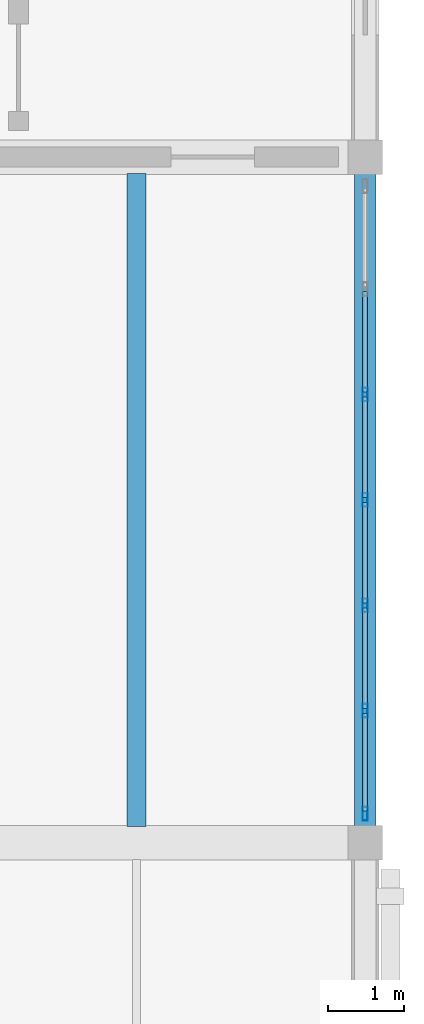
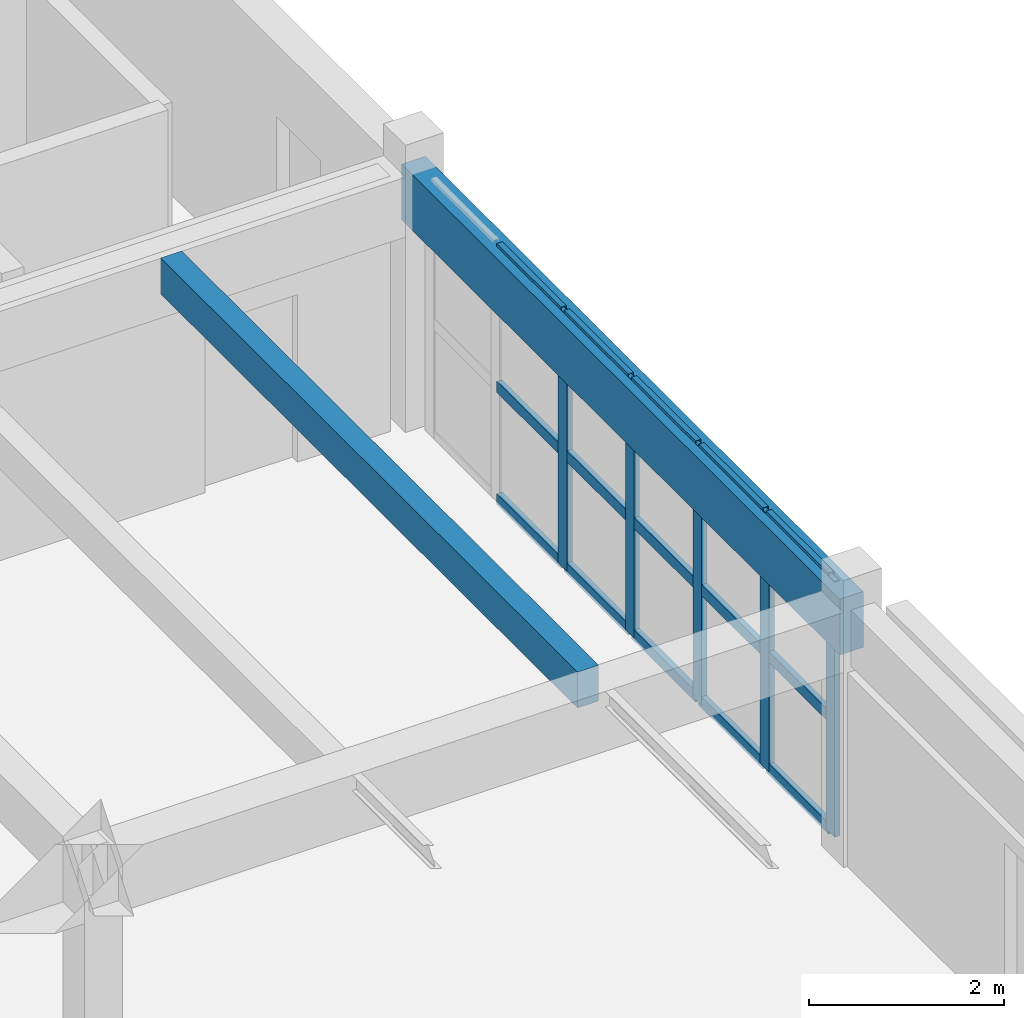
# One storey, part 48 of 80: 20 members, 2 beams, 1 element without a shape of its own.
"""IFC4 building model written with IfcOpenShell, lengths in metres."""

from ifc_helpers import new_model, si_unit, direction, frame, origin, origin_2d, place, context, subcontext, project, spatial, rectangle, hollow_rectangle, extrude, material, layer, layer_set, material_profile, profile_set, type_object, element, aggregate, save


model = new_model("IFC4")

# Units and contexts
model_context = context("Model", 3, precision=1e-05, world=origin(), true_north=direction((0.0, 1.0)))
body_context = subcontext(model_context, "Body", "Model", "MODEL_VIEW")
ifc_project = project(units=[si_unit("LENGTHUNIT", "METRE"), si_unit("AREAUNIT", "SQUARE_METRE"), si_unit("VOLUMEUNIT", "CUBIC_METRE"), si_unit("PLANEANGLEUNIT", "RADIAN"), si_unit("MASSUNIT", "GRAM", prefix="KILO")], contexts=[model_context])

# Site, building, storey
site_placement = place(None, origin())
site = spatial("IfcSite", under=ifc_project, at=site_placement, CompositionType="ELEMENT")
building_placement = place(site_placement, origin())
building = spatial("IfcBuilding", under=site, at=building_placement, Name="Ornek Quay Market", CompositionType="ELEMENT")
storey_placement = place(building_placement, frame((0.0, 0.0, 8.39990234375)))
storey = spatial("IfcBuildingStorey", under=building, at=storey_placement, Name="L02", CompositionType="ELEMENT", Elevation=8.39990234375)

# Beams
ifc_material_1 = material(Name="Concrete C35/45", Category="concrete")
ifc_material_profile_1 = material_profile(ifc_material_1, rectangle(XDim=0.25, YDim=0.449951171875, at=origin_2d()), Name="RC 250x450", Category="concrete")
ifc_profile_set_1 = profile_set([ifc_material_profile_1], Name="Concrete C35/45")
beam_type_1 = type_object("IfcBeamType", Name="BM-SEC-250x450", PredefinedType="JOIST", material=ifc_profile_set_1)
beam_1_placement = place(storey_placement, frame((177.0, 83.217041015625, 2.97509765625), z_axis=(0.0, 1.0, 0.0), x_axis=(-1.0, 0.0, 0.0)))
element("IfcBeam", 1, at=beam_1_placement, inside=storey, type_object=beam_type_1, Name="Secondary joist B-SC3-050", PredefinedType="JOIST", context=body_context, shape_type="SweptSolid", body=[
    extrude(rectangle(XDim=0.25, YDim=0.449951171875, at=origin_2d()), origin(), (0.0, 0.0, 1.0), 8.56591796875),
])
ifc_material_profile_2 = material_profile(ifc_material_1, rectangle(XDim=0.280029296875, YDim=0.699951171875, at=origin_2d()), Name="RC 280x700", Category="concrete")
ifc_profile_set_2 = profile_set([ifc_material_profile_2], Name="Concrete C35/45")
beam_type_2 = type_object("IfcBeamType", Name="BM-SPN-280x700", PredefinedType="SPANDREL", material=ifc_profile_set_2)
beam_2_placement = place(storey_placement, frame((180.0, 83.0, 2.85009765625), z_axis=(0.0, 1.0, 0.0), x_axis=(-1.0, 0.0, 0.0)))
element("IfcBeam", 2, at=beam_2_placement, inside=storey, type_object=beam_type_2, Name="Primary beam B-SP2-100", PredefinedType="SPANDREL", context=body_context, shape_type="SweptSolid", body=[
    extrude(rectangle(XDim=0.280029296875, YDim=0.699951171875, at=origin_2d()), origin(), (0.0, 0.0, 1.0), 9.0),
])

# Curtain wall, members
ifc_material_2 = material(Name="Anodised bronze aluminium and triple low-e glass", Category="aluminium")
ifc_layer = layer(ifc_material_2, 0.18994140625, Name="Anodised bronze aluminium and triple low-e glass", Category="aluminium")
ifc_layer_set = layer_set([ifc_layer], Name="Anodised bronze aluminium and triple low-e glass")
curtain_wall_type = type_object("IfcCurtainWallType", Name="CW-FC-MOD1500", PredefinedType="USERDEFINED", material=ifc_layer_set)
curtain_wall_placement = place(storey_placement, origin())
curtain_wall = element("IfcCurtainWall", 3, at=curtain_wall_placement, inside=storey, type_object=curtain_wall_type, Name="Curtain wall CW-091", ObjectType="CURTAIN WALL", PredefinedType="USERDEFINED")
ifc_material_3 = material(Name="Anodised aluminium 6063-T6", Category="aluminium")
ifc_material_profile_3 = material_profile(ifc_material_3, hollow_rectangle(XDim=0.06494140625, YDim=0.179931640625, WallThickness=0.00439453125, at=origin_2d()), Name="CW-MUL-65x180", Category="aluminium")
ifc_profile_set_3 = profile_set([ifc_material_profile_3], Name="Anodised aluminium 6063-T6")
member_type_1 = type_object("IfcMemberType", Name="CW-MUL-65x180", PredefinedType="MULLION", material=ifc_profile_set_3)
member_1_placement = place(storey_placement, frame((180.0, 83.382568359375, 0.0), z_axis=(0.0, 0.0, 1.0), x_axis=(-1.0, 0.0, 0.0)))
member_1 = element("IfcMember", 4, at=member_1_placement, type_object=member_type_1, Name="CW-091 mullion 1", PredefinedType="MULLION", context=body_context, shape_type="SweptSolid", body=[
    extrude(hollow_rectangle(XDim=0.06494140625, YDim=0.179931640625, WallThickness=0.00439453125, at=origin_2d()), origin(), (0.0, 0.0, 1.0), 3.2001953125),
])
member_2_placement = place(storey_placement, frame((180.0, 84.7333984375, 0.0), z_axis=(0.0, 0.0, 1.0), x_axis=(-1.0, 0.0, 0.0)))
member_2 = element("IfcMember", 5, at=member_2_placement, type_object=member_type_1, Name="CW-091 mullion 2", PredefinedType="MULLION", context=body_context, shape_type="SweptSolid", body=[
    extrude(hollow_rectangle(XDim=0.06494140625, YDim=0.179931640625, WallThickness=0.00439453125, at=origin_2d()), origin(), (0.0, 0.0, 1.0), 3.2001953125),
])
member_3_placement = place(storey_placement, frame((180.0, 86.11669921875, 0.0), z_axis=(0.0, 0.0, 1.0), x_axis=(-1.0, 0.0, 0.0)))
member_3 = element("IfcMember", 6, at=member_3_placement, type_object=member_type_1, Name="CW-091 mullion 3", PredefinedType="MULLION", context=body_context, shape_type="SweptSolid", body=[
    extrude(hollow_rectangle(XDim=0.06494140625, YDim=0.179931640625, WallThickness=0.00439453125, at=origin_2d()), origin(), (0.0, 0.0, 1.0), 3.2001953125),
])
member_4_placement = place(storey_placement, frame((180.0, 87.5, 0.0), z_axis=(0.0, 0.0, 1.0), x_axis=(-1.0, 0.0, 0.0)))
member_4 = element("IfcMember", 7, at=member_4_placement, type_object=member_type_1, Name="CW-091 mullion 4", PredefinedType="MULLION", context=body_context, shape_type="SweptSolid", body=[
    extrude(hollow_rectangle(XDim=0.06494140625, YDim=0.179931640625, WallThickness=0.00439453125, at=origin_2d()), origin(), (0.0, 0.0, 1.0), 3.2001953125),
])
member_5_placement = place(storey_placement, frame((180.0, 88.88330078125, 0.0), z_axis=(0.0, 0.0, 1.0), x_axis=(-1.0, 0.0, 0.0)))
member_5 = element("IfcMember", 8, at=member_5_placement, type_object=member_type_1, Name="CW-091 mullion 5", PredefinedType="MULLION", context=body_context, shape_type="SweptSolid", body=[
    extrude(hollow_rectangle(XDim=0.06494140625, YDim=0.179931640625, WallThickness=0.00439453125, at=origin_2d()), origin(), (0.0, 0.0, 1.0), 3.2001953125),
])
ifc_material_profile_4 = material_profile(ifc_material_3, hollow_rectangle(XDim=0.06494140625, YDim=0.139892578125, WallThickness=0.00439453125, at=origin_2d()), Name="CW-TRN-65x140", Category="aluminium")
ifc_profile_set_4 = profile_set([ifc_material_profile_4], Name="Anodised aluminium 6063-T6")
member_type_2 = type_object("IfcMemberType", Name="CW-TRN-65x140", PredefinedType="USERDEFINED", material=ifc_profile_set_4)
member_6_placement = place(storey_placement, frame((180.0, 83.4150390625, 0.03271484375), z_axis=(0.0, 1.0, 0.0), x_axis=(-1.0, 0.0, 0.0)))
member_6 = element("IfcMember", 9, at=member_6_placement, type_object=member_type_2, Name="CW-091 transom 1.1", ObjectType="TRANSOM", PredefinedType="USERDEFINED", context=body_context, shape_type="SweptSolid", body=[
    extrude(hollow_rectangle(XDim=0.06494140625, YDim=0.139892578125, WallThickness=0.00439453125, at=origin_2d()), origin(), (0.0, 0.0, 1.0), 1.285888671875),
])
member_7_placement = place(storey_placement, frame((180.0, 83.4150390625, 1.440185546875), z_axis=(0.0, 1.0, 0.0), x_axis=(-1.0, 0.0, 0.0)))
member_7 = element("IfcMember", 10, at=member_7_placement, type_object=member_type_2, Name="CW-091 transom 1.2", ObjectType="TRANSOM", PredefinedType="USERDEFINED", context=body_context, shape_type="SweptSolid", body=[
    extrude(hollow_rectangle(XDim=0.06494140625, YDim=0.139892578125, WallThickness=0.00439453125, at=origin_2d()), origin(), (0.0, 0.0, 1.0), 1.285888671875),
])
member_8_placement = place(storey_placement, frame((180.0, 83.4150390625, 3.16748046875), z_axis=(0.0, 1.0, 0.0), x_axis=(-1.0, 0.0, 0.0)))
member_8 = element("IfcMember", 11, at=member_8_placement, type_object=member_type_2, Name="CW-091 transom 1.3", ObjectType="TRANSOM", PredefinedType="USERDEFINED", context=body_context, shape_type="SweptSolid", body=[
    extrude(hollow_rectangle(XDim=0.06494140625, YDim=0.139892578125, WallThickness=0.00439453125, at=origin_2d()), origin(), (0.0, 0.0, 1.0), 1.285888671875),
])
member_9_placement = place(storey_placement, frame((180.0, 84.765869140625, 0.03271484375), z_axis=(0.0, 1.0, 0.0), x_axis=(-1.0, 0.0, 0.0)))
member_9 = element("IfcMember", 12, at=member_9_placement, type_object=member_type_2, Name="CW-091 transom 2.1", ObjectType="TRANSOM", PredefinedType="USERDEFINED", context=body_context, shape_type="SweptSolid", body=[
    extrude(hollow_rectangle(XDim=0.06494140625, YDim=0.139892578125, WallThickness=0.00439453125, at=origin_2d()), origin(), (0.0, 0.0, 1.0), 1.318359375),
])
member_10_placement = place(storey_placement, frame((180.0, 84.765869140625, 1.440185546875), z_axis=(0.0, 1.0, 0.0), x_axis=(-1.0, 0.0, 0.0)))
member_10 = element("IfcMember", 13, at=member_10_placement, type_object=member_type_2, Name="CW-091 transom 2.2", ObjectType="TRANSOM", PredefinedType="USERDEFINED", context=body_context, shape_type="SweptSolid", body=[
    extrude(hollow_rectangle(XDim=0.06494140625, YDim=0.139892578125, WallThickness=0.00439453125, at=origin_2d()), origin(), (0.0, 0.0, 1.0), 1.318359375),
])
member_11_placement = place(storey_placement, frame((180.0, 84.765869140625, 3.16748046875), z_axis=(0.0, 1.0, 0.0), x_axis=(-1.0, 0.0, 0.0)))
member_11 = element("IfcMember", 14, at=member_11_placement, type_object=member_type_2, Name="CW-091 transom 2.3", ObjectType="TRANSOM", PredefinedType="USERDEFINED", context=body_context, shape_type="SweptSolid", body=[
    extrude(hollow_rectangle(XDim=0.06494140625, YDim=0.139892578125, WallThickness=0.00439453125, at=origin_2d()), origin(), (0.0, 0.0, 1.0), 1.318359375),
])
member_12_placement = place(storey_placement, frame((180.0, 86.149169921875, 0.03271484375), z_axis=(0.0, 1.0, 0.0), x_axis=(-1.0, 0.0, 0.0)))
member_12 = element("IfcMember", 15, at=member_12_placement, type_object=member_type_2, Name="CW-091 transom 3.1", ObjectType="TRANSOM", PredefinedType="USERDEFINED", context=body_context, shape_type="SweptSolid", body=[
    extrude(hollow_rectangle(XDim=0.06494140625, YDim=0.139892578125, WallThickness=0.00439453125, at=origin_2d()), origin(), (0.0, 0.0, 1.0), 1.318359375),
])
member_13_placement = place(storey_placement, frame((180.0, 86.149169921875, 1.440185546875), z_axis=(0.0, 1.0, 0.0), x_axis=(-1.0, 0.0, 0.0)))
member_13 = element("IfcMember", 16, at=member_13_placement, type_object=member_type_2, Name="CW-091 transom 3.2", ObjectType="TRANSOM", PredefinedType="USERDEFINED", context=body_context, shape_type="SweptSolid", body=[
    extrude(hollow_rectangle(XDim=0.06494140625, YDim=0.139892578125, WallThickness=0.00439453125, at=origin_2d()), origin(), (0.0, 0.0, 1.0), 1.318359375),
])
member_14_placement = place(storey_placement, frame((180.0, 86.149169921875, 3.16748046875), z_axis=(0.0, 1.0, 0.0), x_axis=(-1.0, 0.0, 0.0)))
member_14 = element("IfcMember", 17, at=member_14_placement, type_object=member_type_2, Name="CW-091 transom 3.3", ObjectType="TRANSOM", PredefinedType="USERDEFINED", context=body_context, shape_type="SweptSolid", body=[
    extrude(hollow_rectangle(XDim=0.06494140625, YDim=0.139892578125, WallThickness=0.00439453125, at=origin_2d()), origin(), (0.0, 0.0, 1.0), 1.318359375),
])
member_15_placement = place(storey_placement, frame((180.0, 87.532470703125, 0.03271484375), z_axis=(0.0, 1.0, 0.0), x_axis=(-1.0, 0.0, 0.0)))
member_15 = element("IfcMember", 18, at=member_15_placement, type_object=member_type_2, Name="CW-091 transom 4.1", ObjectType="TRANSOM", PredefinedType="USERDEFINED", context=body_context, shape_type="SweptSolid", body=[
    extrude(hollow_rectangle(XDim=0.06494140625, YDim=0.139892578125, WallThickness=0.00439453125, at=origin_2d()), origin(), (0.0, 0.0, 1.0), 1.318359375),
])
member_16_placement = place(storey_placement, frame((180.0, 87.532470703125, 1.440185546875), z_axis=(0.0, 1.0, 0.0), x_axis=(-1.0, 0.0, 0.0)))
member_16 = element("IfcMember", 19, at=member_16_placement, type_object=member_type_2, Name="CW-091 transom 4.2", ObjectType="TRANSOM", PredefinedType="USERDEFINED", context=body_context, shape_type="SweptSolid", body=[
    extrude(hollow_rectangle(XDim=0.06494140625, YDim=0.139892578125, WallThickness=0.00439453125, at=origin_2d()), origin(), (0.0, 0.0, 1.0), 1.318359375),
])
member_17_placement = place(storey_placement, frame((180.0, 87.532470703125, 3.16748046875), z_axis=(0.0, 1.0, 0.0), x_axis=(-1.0, 0.0, 0.0)))
member_17 = element("IfcMember", 20, at=member_17_placement, type_object=member_type_2, Name="CW-091 transom 4.3", ObjectType="TRANSOM", PredefinedType="USERDEFINED", context=body_context, shape_type="SweptSolid", body=[
    extrude(hollow_rectangle(XDim=0.06494140625, YDim=0.139892578125, WallThickness=0.00439453125, at=origin_2d()), origin(), (0.0, 0.0, 1.0), 1.318359375),
])
member_18_placement = place(storey_placement, frame((180.0, 88.915771484375, 0.03271484375), z_axis=(0.0, 1.0, 0.0), x_axis=(-1.0, 0.0, 0.0)))
member_18 = element("IfcMember", 21, at=member_18_placement, type_object=member_type_2, Name="CW-091 transom 5.1", ObjectType="TRANSOM", PredefinedType="USERDEFINED", context=body_context, shape_type="SweptSolid", body=[
    extrude(hollow_rectangle(XDim=0.06494140625, YDim=0.139892578125, WallThickness=0.00439453125, at=origin_2d()), origin(), (0.0, 0.0, 1.0), 1.318359375),
])
member_19_placement = place(storey_placement, frame((180.0, 88.915771484375, 1.440185546875), z_axis=(0.0, 1.0, 0.0), x_axis=(-1.0, 0.0, 0.0)))
member_19 = element("IfcMember", 22, at=member_19_placement, type_object=member_type_2, Name="CW-091 transom 5.2", ObjectType="TRANSOM", PredefinedType="USERDEFINED", context=body_context, shape_type="SweptSolid", body=[
    extrude(hollow_rectangle(XDim=0.06494140625, YDim=0.139892578125, WallThickness=0.00439453125, at=origin_2d()), origin(), (0.0, 0.0, 1.0), 1.318359375),
])
member_20_placement = place(storey_placement, frame((180.0, 88.915771484375, 3.16748046875), z_axis=(0.0, 1.0, 0.0), x_axis=(-1.0, 0.0, 0.0)))
member_20 = element("IfcMember", 23, at=member_20_placement, type_object=member_type_2, Name="CW-091 transom 5.3", ObjectType="TRANSOM", PredefinedType="USERDEFINED", context=body_context, shape_type="SweptSolid", body=[
    extrude(hollow_rectangle(XDim=0.06494140625, YDim=0.139892578125, WallThickness=0.00439453125, at=origin_2d()), origin(), (0.0, 0.0, 1.0), 1.318359375),
])
aggregate(curtain_wall, [member_1, member_2, member_3, member_4, member_5, member_6, member_7, member_8, member_9, member_10, member_11, member_12, member_13, member_14, member_15, member_16, member_17, member_18, member_19, member_20])

save(model, "model.ifc")
